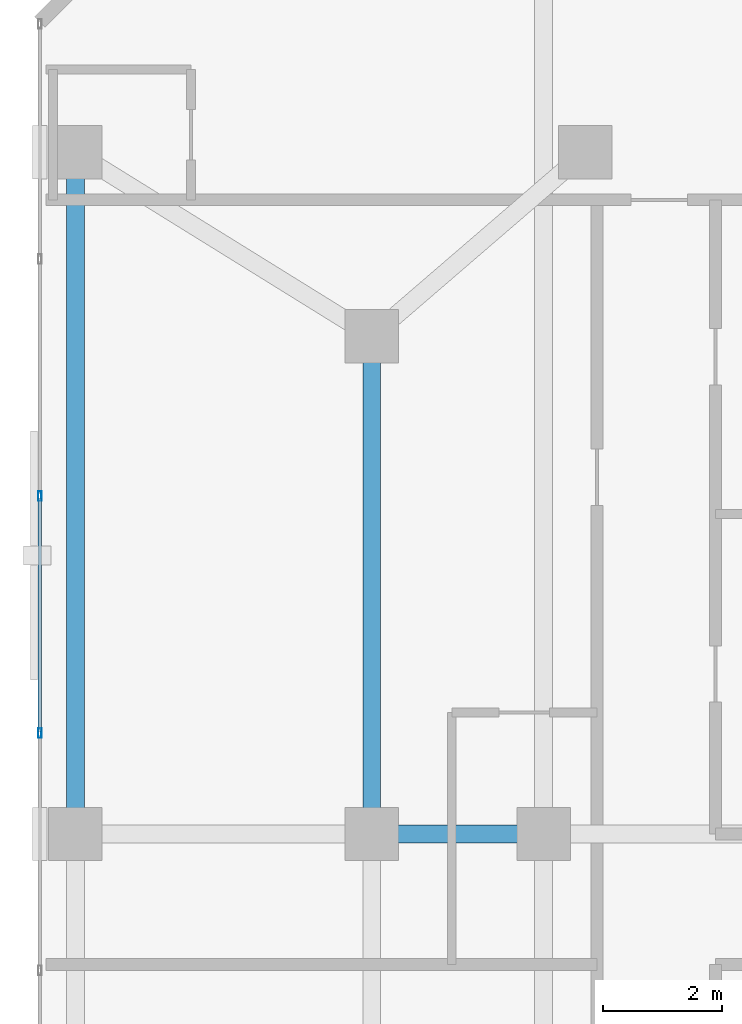
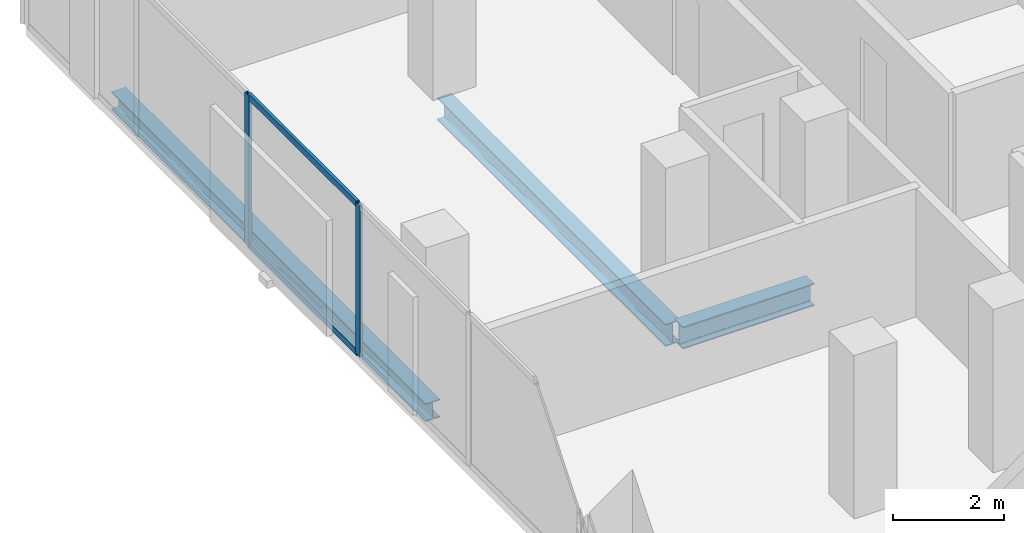
# One storey, part 11 of 35: 4 members, 3 beams, 1 element without a shape of its own.
"""IFC4 building model written with IfcOpenShell, lengths in metres."""

from ifc_helpers import new_model, si_unit, direction, frame, origin, origin_2d, place, context, subcontext, project, spatial, hollow_rectangle, i_section, extrude, material, layer, layer_set, material_profile, profile_set, type_object, element, aggregate, save


model = new_model("IFC4")

# Units and contexts
model_context = context("Model", 3, precision=1e-05, world=origin(), true_north=direction((0.0, 1.0)))
body_context = subcontext(model_context, "Body", "Model", "MODEL_VIEW")
ifc_project = project(units=[si_unit("LENGTHUNIT", "METRE"), si_unit("AREAUNIT", "SQUARE_METRE"), si_unit("VOLUMEUNIT", "CUBIC_METRE"), si_unit("PLANEANGLEUNIT", "RADIAN"), si_unit("MASSUNIT", "GRAM", prefix="KILO")], contexts=[model_context])

# Site, building, storey
site_placement = place(None, origin())
site = spatial("IfcSite", under=ifc_project, at=site_placement, CompositionType="ELEMENT")
building_placement = place(site_placement, origin())
building = spatial("IfcBuilding", under=site, at=building_placement, Name="Catumbela Crestline Tower", CompositionType="ELEMENT")
storey_placement = place(building_placement, frame((0.0, 0.0, 90.0)))
storey = spatial("IfcBuildingStorey", under=building, at=storey_placement, Name="L22", CompositionType="ELEMENT", Elevation=90.0)

# Beams
ifc_material_1 = material(Name="Structural steel S355J2", Category="steel")
ifc_material_profile_1 = material_profile(ifc_material_1, i_section(OverallWidth=0.3, OverallDepth=0.49, WebThickness=0.012, FlangeThickness=0.023, FilletRadius=0.027, at=origin_2d()), Name="HEA 500")
ifc_profile_set_1 = profile_set([ifc_material_profile_1], Name="Structural steel S355J2")
beam_type_1 = type_object("IfcBeamType", Name="BG-HEA500", PredefinedType="BEAM", material=ifc_profile_set_1)
beam_1_placement = place(storey_placement, frame((5.68, 30.8, -0.505), z_axis=(1.0, 0.0, 0.0), x_axis=(0.0, 1.0, 0.0)))
element("IfcBeam", 1, at=beam_1_placement, inside=storey, type_object=beam_type_1, Name="L22 Beam BM-L22-M08", PredefinedType="BEAM", context=body_context, shape_type="SweptSolid", body=[
    extrude(i_section(OverallWidth=0.3, OverallDepth=0.49, WebThickness=0.012, FlangeThickness=0.023, FilletRadius=0.027, at=origin_2d()), origin(), (0.0, 0.0, 1.0), 2.74),
])
beam_2_placement = place(storey_placement, frame((5.6, 30.88, -0.505), z_axis=(0.0, 1.0, 0.0), x_axis=(-1.0, 0.0, 0.0)))
element("IfcBeam", 2, at=beam_2_placement, inside=storey, type_object=beam_type_1, Name="L22 Beam BM-L22-SN25", PredefinedType="BEAM", context=body_context, shape_type="SweptSolid", body=[
    extrude(i_section(OverallWidth=0.3, OverallDepth=0.49, WebThickness=0.012, FlangeThickness=0.023, FilletRadius=0.027, at=origin_2d()), origin(), (0.0, 0.0, 1.0), 8.24),
])

# Curtain wall, members
ifc_material_2 = material(Name="Aluminium alloy AW-6060-T66", Category="aluminium")
ifc_layer = layer(ifc_material_2, 0.18, Name="Aluminium alloy AW-6060-T66")
ifc_layer_set = layer_set([ifc_layer], Name="Aluminium alloy AW-6060-T66")
curtain_wall_type = type_object("IfcCurtainWallType", Name="CWU-Z2", PredefinedType="USERDEFINED", material=ifc_layer_set)
curtain_wall_placement = place(storey_placement, origin())
curtain_wall = element("IfcCurtainWall", 3, at=curtain_wall_placement, inside=storey, type_object=curtain_wall_type, Name="L22 Unitised Curtain Wall CW-L22-E9S1", ObjectType="UNITISED", PredefinedType="USERDEFINED")
ifc_material_profile_2 = material_profile(ifc_material_2, hollow_rectangle(XDim=0.06, YDim=0.16, WallThickness=0.004, at=origin_2d()), Name="ALU 160x60x4")
ifc_profile_set_2 = profile_set([ifc_material_profile_2], Name="Aluminium alloy AW-6060-T66")
member_type_1 = type_object("IfcMemberType", Name="MUL-160X60", PredefinedType="MULLION", material=ifc_profile_set_2)
member_1_placement = place(storey_placement, frame((0.0, 36.5, 0.0), z_axis=(0.0, 0.0, 1.0), x_axis=(1.0, 0.0, 0.0)))
member_1 = element("IfcMember", 4, at=member_1_placement, type_object=member_type_1, Name="CWU-Z2 mullion 3", PredefinedType="MULLION", context=body_context, shape_type="SweptSolid", body=[
    extrude(hollow_rectangle(XDim=0.06, YDim=0.16, WallThickness=0.004, at=origin_2d()), origin(), (0.0, 0.0, 1.0), 3.33),
])
member_2_placement = place(storey_placement, frame((0.0, 32.5, 0.0), z_axis=(0.0, 0.0, 1.0), x_axis=(1.0, 0.0, 0.0)))
member_2 = element("IfcMember", 5, at=member_2_placement, type_object=member_type_1, Name="CWU-Z2 mullion 4", PredefinedType="MULLION", context=body_context, shape_type="SweptSolid", body=[
    extrude(hollow_rectangle(XDim=0.06, YDim=0.16, WallThickness=0.004, at=origin_2d()), origin(), (0.0, 0.0, 1.0), 3.33),
])

# Beam
ifc_material_profile_3 = material_profile(ifc_material_1, i_section(OverallWidth=0.3, OverallDepth=0.4, WebThickness=0.0135, FlangeThickness=0.024, FilletRadius=0.027, at=origin_2d()), Name="HEB 400")
ifc_profile_set_3 = profile_set([ifc_material_profile_3], Name="Structural steel S355J2")
beam_type_2 = type_object("IfcBeamType", Name="BS-HEB400", PredefinedType="SPANDREL", material=ifc_profile_set_3)
beam_3_placement = place(storey_placement, frame((0.6, 30.88, -0.46), z_axis=(0.0, 1.0, 0.0), x_axis=(-1.0, 0.0, 0.0)))
element("IfcBeam", 6, at=beam_3_placement, inside=storey, type_object=beam_type_2, Name="L22 Spandrel SP-L22-SN23", PredefinedType="SPANDREL", context=body_context, shape_type="SweptSolid", body=[
    extrude(i_section(OverallWidth=0.3, OverallDepth=0.4, WebThickness=0.0135, FlangeThickness=0.024, FilletRadius=0.027, at=origin_2d()), origin(), (0.0, 0.0, 1.0), 11.34),
])

# Member
ifc_material_profile_4 = material_profile(ifc_material_2, hollow_rectangle(XDim=0.06, YDim=0.14, WallThickness=0.004, at=origin_2d()), Name="ALU 140x60x4")
ifc_profile_set_4 = profile_set([ifc_material_profile_4], Name="Aluminium alloy AW-6060-T66")
member_type_2 = type_object("IfcMemberType", Name="TRN-140X60", PredefinedType="USERDEFINED", material=ifc_profile_set_4)
member_3_placement = place(storey_placement, frame((0.0, 36.4675, 0.03), z_axis=(0.0, -1.0, 0.0), x_axis=(1.0, 0.0, 0.0)))
member_3 = element("IfcMember", 7, at=member_3_placement, type_object=member_type_2, Name="CWU-Z2 transom 3.1", ObjectType="TRANSOM", PredefinedType="USERDEFINED", context=body_context, shape_type="SweptSolid", body=[
    extrude(hollow_rectangle(XDim=0.06, YDim=0.14, WallThickness=0.004, at=origin_2d()), origin(), (0.0, 0.0, 1.0), 3.935),
])

member_4_placement = place(storey_placement, frame((0.0, 36.4675, 3.3), z_axis=(0.0, -1.0, 0.0), x_axis=(1.0, 0.0, 0.0)))
member_4 = element("IfcMember", 8, at=member_4_placement, type_object=member_type_2, Name="CWU-Z2 transom 3.2", ObjectType="TRANSOM", PredefinedType="USERDEFINED", context=body_context, shape_type="SweptSolid", body=[
    extrude(hollow_rectangle(XDim=0.06, YDim=0.14, WallThickness=0.004, at=origin_2d()), origin(), (0.0, 0.0, 1.0), 3.935),
])

aggregate(curtain_wall, [member_1, member_2, member_3, member_4])

save(model, "model.ifc")
